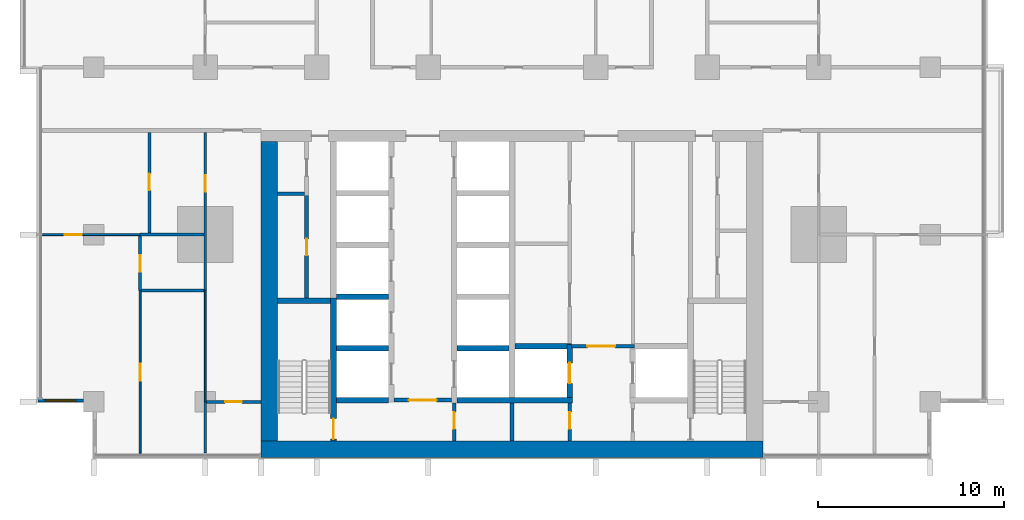
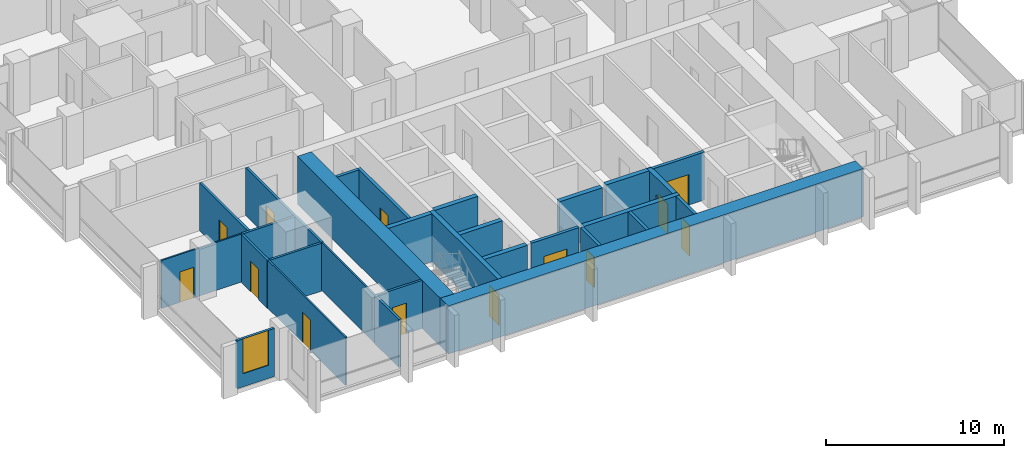
# One storey, part 7 of 18: 29 walls, 13 doors, 1 window, 14 openings.
"""IFC4 building model written with IfcOpenShell, lengths in metres."""

import ifcopenshell
import ifcopenshell.guid

model = None  # the IFC model being written
_history = None  # IfcOwnerHistory: only IFC2X3 demands one
_inside = {}  # id of a spatial element -> (the spatial element, [elements in it])
_under = {}  # id of a project, library or spatial element -> (it, [spatial elements below it])
_declared = {}  # id of a project -> (the project, [libraries it declares])
_typed = {}  # id of a type object -> (the type object, [elements of that type])
_made_of = {}  # id of a material, layer set ... -> (it, [elements and type objects made of it])


def new_model(schema):
    """Start an empty IFC model of exactly this schema.

    Asked for "IFC4X3", IfcOpenShell would pick the latest addendum, in which some entities
    have other attributes; the version numbers below select the first issue.
    IFC2X3 requires an IfcOwnerHistory on every rooted entity: one is made here for all.
    """
    global model, _history
    if schema == "IFC4X3":
        model = ifcopenshell.file(schema_version=(4, 3, 0, 0))
    else:
        model = ifcopenshell.file(schema=schema)
    _inside.clear()
    _under.clear()
    _declared.clear()
    _typed.clear()
    _made_of.clear()
    _history = None
    if model.schema == "IFC2X3":
        org = make("IfcOrganization", Name="unknown")
        user = make(
            "IfcPersonAndOrganization",
            ThePerson=make("IfcPerson", FamilyName="unknown"),
            TheOrganization=org,
        )
        app = make(
            "IfcApplication",
            ApplicationDeveloper=org,
            Version="unknown",
            ApplicationFullName="unknown",
            ApplicationIdentifier="unknown",
        )
        _history = make(
            "IfcOwnerHistory",
            OwningUser=user,
            OwningApplication=app,
            ChangeAction="ADDED",
            CreationDate=0,
        )
    return model


def make(cls, **values):
    """One entity of the class cls with the attributes given. An attribute that is None is left unset."""
    return model.create_entity(
        cls, **{name: value for name, value in values.items() if value is not None}
    )


def rooted(cls, **values):
    """An entity with a GlobalId (a new one), such as an element, a storey or a relation."""
    return make(cls, GlobalId=ifcopenshell.guid.new(), OwnerHistory=_history, **values)


def si_unit(unit_type, name, prefix=None):
    """IfcSIUnit, for example si_unit("LENGTHUNIT", "METRE", prefix="MILLI")."""
    return make("IfcSIUnit", UnitType=unit_type, Prefix=prefix, Name=name)


def assignment(units):
    """IfcUnitAssignment: the units of a project."""
    return None if units is None else make("IfcUnitAssignment", Units=units)


def point(xyz):
    """IfcCartesianPoint."""
    return None if xyz is None else make("IfcCartesianPoint", Coordinates=xyz)


def direction(xyz):
    """IfcDirection."""
    return None if xyz is None else make("IfcDirection", DirectionRatios=xyz)


def frame(location, z_axis=None, x_axis=None):
    """IfcAxis2Placement3D, a coordinate frame: its origin and axes. An axis left out is left unset."""
    return make(
        "IfcAxis2Placement3D",
        Location=point(location),
        Axis=direction(z_axis),
        RefDirection=direction(x_axis),
    )


def frame_2d(location, x_axis=None):
    """IfcAxis2Placement2D, a coordinate frame in the plane: its origin and x axis."""
    return make(
        "IfcAxis2Placement2D", Location=point(location), RefDirection=direction(x_axis)
    )


def origin():
    """The frame at (0, 0, 0) with its axes left unset."""
    return frame((0.0, 0.0, 0.0))


def place(relative_to, where):
    """IfcLocalPlacement: puts the frame where relative to a parent placement (None: the world)."""
    return make(
        "IfcLocalPlacement", PlacementRelTo=relative_to, RelativePlacement=where
    )


def context(
    kind, dimensions, precision=None, world=None, true_north=None, identifier=None
):
    """IfcGeometricRepresentationContext, for example the 3D "Model" context."""
    return make(
        "IfcGeometricRepresentationContext",
        ContextIdentifier=identifier,
        ContextType=kind,
        CoordinateSpaceDimension=dimensions,
        Precision=precision,
        WorldCoordinateSystem=world,
        TrueNorth=true_north,
    )


def subcontext(parent, identifier, kind, view, scale=None):
    """IfcGeometricRepresentationSubContext, for example "Body" below "Model"."""
    return make(
        "IfcGeometricRepresentationSubContext",
        ContextIdentifier=identifier,
        ContextType=kind,
        ParentContext=parent,
        TargetScale=scale,
        TargetView=view,
    )


def project(units=None, contexts=None):
    """IfcProject with its units and contexts."""
    return rooted(
        "IfcProject",
        Name="project",
        RepresentationContexts=contexts,
        UnitsInContext=assignment(units),
    )


def spatial(cls, under=None, at=None, **own):
    """A site, building, storey or space (cls), placed at a placement, below another one or the project."""
    s = rooted(cls, ObjectPlacement=at, **own)
    if under is not None:
        _under.setdefault(under.id(), (under, []))[1].append(s)
    return s


def profile(cls, at=None, kind="AREA", **sizes):
    """A parametric profile (cls). Its sizes go by their IFC names, for example OverallWidth=200.0."""
    return make(cls, ProfileType=kind, Position=at, **sizes)


def rectangle(**sizes):
    """IfcRectangleProfileDef."""
    return profile("IfcRectangleProfileDef", **sizes)


def extrude(swept, where, along, depth):
    """IfcExtrudedAreaSolid: the profile swept, set in the frame where, extruded along a direction by depth."""
    return make(
        "IfcExtrudedAreaSolid",
        SweptArea=swept,
        Position=where,
        ExtrudedDirection=direction(along),
        Depth=depth,
    )


def shape(context_of_items, identifier, shape_type, items):
    """IfcShapeRepresentation: the items that make up one representation, for example the "Body"."""
    return make(
        "IfcShapeRepresentation",
        ContextOfItems=context_of_items,
        RepresentationIdentifier=identifier,
        RepresentationType=shape_type,
        Items=items,
    )


def material(Name=None, Category=None):
    """IfcMaterial."""
    return make("IfcMaterial", Name=Name, Category=Category)


def layer(
    of_material, thickness, ventilated=None, Name=None, Category=None, Priority=None
):
    """IfcMaterialLayer: one layer of a wall or slab, of a material (None: an air gap)."""
    return make(
        "IfcMaterialLayer",
        Material=of_material,
        LayerThickness=thickness,
        IsVentilated=ventilated,
        Name=Name,
        Category=Category,
        Priority=Priority,
    )


def layer_set(layers, Name=None):
    """IfcMaterialLayerSet."""
    return make("IfcMaterialLayerSet", MaterialLayers=layers, LayerSetName=Name)


def made_of(thing, what):
    """Note that an element or type object is made of a material, layer set ...; save() writes the relation."""
    if what is not None:
        _made_of.setdefault(what.id(), (what, []))[1].append(thing)
    return thing


def type_object(cls, material=None, **own):
    """A type object (cls), such as IfcWallType, which elements share."""
    return made_of(rooted(cls, **own), material)


def element(
    cls,
    number,
    at=None,
    inside=None,
    cuts=None,
    type_object=None,
    material=None,
    context=None,
    identifier="Body",
    shape_type=None,
    held_by="IfcProductDefinitionShape",
    body=None,
    shapes=None,
    **own,
):
    """One element of the class cls, such as IfcWall. Its Tag is "e" and its number.

    at: its placement. inside: the storey or other place that contains it. cuts: it is an
    opening in that element (IfcRelVoidsElement). A single representation is given by context,
    identifier, shape_type and body (its items); several are given by shapes. held_by: the class
    of the entity that holds the representations. save() writes the other relations.
    """
    e = rooted(cls, Tag="e%d" % number, ObjectPlacement=at, **own)
    if body is not None:
        shapes = [shape(context, identifier, shape_type, body)]
    if shapes is not None:
        e.Representation = make(held_by, Representations=shapes)
    if inside is not None:
        _inside.setdefault(inside.id(), (inside, []))[1].append(e)
    if cuts is not None:
        rooted(
            "IfcRelVoidsElement", RelatingBuildingElement=cuts, RelatedOpeningElement=e
        )
    if type_object is not None:
        _typed.setdefault(type_object.id(), (type_object, []))[1].append(e)
    return made_of(e, material)


def fill(opening, filler):
    """IfcRelFillsElement: the door or window that sits in an opening."""
    return rooted(
        "IfcRelFillsElement",
        RelatingOpeningElement=opening,
        RelatedBuildingElement=filler,
    )


def aggregate(whole, parts):
    """IfcRelAggregates: a whole, such as a stair, and the parts it consists of."""
    return rooted("IfcRelAggregates", RelatingObject=whole, RelatedObjects=parts)


def save(model, path):
    """Write the relations noted so far, then the file.

    IfcRelAggregates (storeys below a building ...), IfcRelContainedInSpatialStructure (elements
    in a storey), IfcRelDefinesByType, IfcRelAssociatesMaterial and IfcRelDeclares: one each for
    every whole, place, type object, material and project.
    """
    for whole, parts in _under.values():
        aggregate(whole, parts)
    for where, things in _inside.values():
        rooted(
            "IfcRelContainedInSpatialStructure",
            RelatedElements=things,
            RelatingStructure=where,
        )
    for kind, things in _typed.values():
        rooted("IfcRelDefinesByType", RelatedObjects=things, RelatingType=kind)
    for what, things in _made_of.values():
        rooted("IfcRelAssociatesMaterial", RelatedObjects=things, RelatingMaterial=what)
    for by, libraries in _declared.values():
        rooted("IfcRelDeclares", RelatingContext=by, RelatedDefinitions=libraries)
    model.write(path)


model = new_model("IFC4")

# Units and contexts
model_context = context("Model", 3, precision=1e-05, world=origin(), true_north=direction((0.0, 1.0)))
body_context = subcontext(model_context, "Body", "Model", "MODEL_VIEW")
ifc_project = project(units=[si_unit("LENGTHUNIT", "METRE"), si_unit("AREAUNIT", "SQUARE_METRE"), si_unit("VOLUMEUNIT", "CUBIC_METRE"), si_unit("PLANEANGLEUNIT", "RADIAN"), si_unit("MASSUNIT", "GRAM", prefix="KILO")], contexts=[model_context])

# Site, building, storey
site_placement = place(None, origin())
site = spatial("IfcSite", under=ifc_project, at=site_placement, CompositionType="ELEMENT")
building_placement = place(site_placement, origin())
building = spatial("IfcBuilding", under=site, at=building_placement, Name="Finial Court Residences", CompositionType="ELEMENT")
storey_placement = place(building_placement, frame((0.0, 0.0, 50.5)))
storey = spatial("IfcBuildingStorey", under=building, at=storey_placement, Name="L11", CompositionType="ELEMENT", Elevation=50.5)

# Walls
ifc_material_1 = material(Name="Concrete C80/95", Category="concrete")
ifc_layer_1 = layer(ifc_material_1, 0.89990234375)
ifc_layer_set_1 = layer_set([ifc_layer_1], Name="Core outer wall 900 Concrete C80/95")
wall_type_1 = type_object("IfcWallType", Name="Core outer wall 900 Concrete C80/95", PredefinedType="SHEAR", material=ifc_layer_set_1)
wall_1_placement = place(storey_placement, frame((-13.050048828125, -24.60009765625, 0.0), z_axis=(0.0, 0.0, 1.0), x_axis=(0.0, 1.0, 0.0)))
element("IfcWall", 1, at=wall_1_placement, inside=storey, type_object=wall_type_1, Name="Core outer wall L11-03", PredefinedType="SHEAR", context=body_context, shape_type="SweptSolid", body=[
    extrude(rectangle(XDim=16.10009765625, YDim=0.89990234375, at=frame_2d((8.050048828125, 0.0))), origin(), (0.0, 0.0, 1.0), 3.300048828125),
])
ifc_layer_2 = layer(ifc_material_1, 0.89990234375)
ifc_layer_set_2 = layer_set([ifc_layer_2], Name="Core south facade wall 900 Concrete C80/95")
wall_type_2 = type_object("IfcWallType", Name="Core south facade wall 900 Concrete C80/95", PredefinedType="SHEAR", material=ifc_layer_set_2)
wall_2_placement = place(storey_placement, frame((-13.5, -25.050048828125, 0.0), z_axis=(0.0, 0.0, 1.0), x_axis=(1.0, 0.0, 0.0)))
element("IfcWall", 2, at=wall_2_placement, inside=storey, type_object=wall_type_2, Name="Core outer wall L11-01", PredefinedType="SHEAR", context=body_context, shape_type="SweptSolid", body=[
    extrude(rectangle(XDim=27.0, YDim=0.89990234375, at=frame_2d((13.5, 0.0))), origin(), (0.0, 0.0, 1.0), 3.300048828125),
])

# Wall, opening, door
ifc_material_2 = material(Name="Fire-rated gypsum board partition")
ifc_layer_3 = layer(ifc_material_2, 0.199951171875)
ifc_layer_set_3 = layer_set([ifc_layer_3], Name="Firefighting lobby wall 200 EI 120")
wall_type_3 = type_object("IfcWallType", Name="Firefighting lobby wall 200 EI 120", PredefinedType="PARTITIONING", material=ifc_layer_set_3)
wall_3_placement = place(storey_placement, frame((6.574951171875, -19.5, 0.0), z_axis=(0.0, 0.0, 1.0), x_axis=(-1.0, 0.0, 0.0)))
wall_3 = element("IfcWall", 3, at=wall_3_placement, inside=storey, type_object=wall_type_3, Name="Core partition L11-08", PredefinedType="PARTITIONING", context=body_context, shape_type="SweptSolid", body=[
    extrude(rectangle(XDim=3.375, YDim=0.199951171875, at=frame_2d((1.6875, 0.0))), origin(), (0.0, 0.0, 1.0), 3.300048828125),
])
opening_1_placement = place(wall_3_placement, frame((1.02490234375, 0.0, 0.0)))
opening_1 = element("IfcOpeningElement", 4, at=opening_1_placement, cuts=wall_3, Name="Opening L11-C02", PredefinedType="OPENING", context=body_context, shape_type="SweptSolid", body=[
    extrude(rectangle(XDim=1.5, YDim=2.10009765625, at=frame_2d((0.75, 1.050048828125))), frame((0.0, 0.10986328125, 0.0), z_axis=(0.0, -1.0, 0.0), x_axis=(1.0, 0.0, 0.0)), (0.0, 0.0, 1.0), 0.219970703125),
])
ifc_material_3 = material(Name="Steel fire door", Category="steel")
door_type_1 = type_object("IfcDoorType", Name="Firefighting lobby door 1500 x 2100 EI 90", OperationType="DOUBLE_DOOR_SINGLE_SWING", PredefinedType="DOOR", material=ifc_material_3)
door_1_placement = place(opening_1_placement, origin())
door_1 = element("IfcDoor", 5, at=door_1_placement, inside=storey, type_object=door_type_1, Name="Firefighting lobby door L11-C02", OperationType="DOUBLE_DOOR_SINGLE_SWING", OverallHeight=2.10009765625, OverallWidth=1.5, PredefinedType="DOOR", context=body_context, shape_type="SweptSolid", body=[
    extrude(rectangle(XDim=1.5, YDim=2.10009765625, at=frame_2d((0.75, 1.050048828125))), frame((0.0, 0.02490234375, 0.0), z_axis=(0.0, -1.0, 0.0), x_axis=(1.0, 0.0, 0.0)), (0.0, 0.0, 1.0), 0.050048828125),
])
fill(opening_1, door_1)

wall_4_placement = place(storey_placement, frame((3.10009765625, -24.60009765625, 0.0), z_axis=(0.0, 0.0, 1.0), x_axis=(0.0, 1.0, 0.0)))
wall_4 = element("IfcWall", 6, at=wall_4_placement, inside=storey, type_object=wall_type_3, Name="Core partition L11-30", PredefinedType="PARTITIONING", context=body_context, shape_type="SweptSolid", body=[
    extrude(rectangle(XDim=2.050048828125, YDim=0.199951171875, at=frame_2d((1.02490234375, 0.0))), origin(), (0.0, 0.0, 1.0), 3.300048828125),
])
opening_2_placement = place(wall_4_placement, frame((0.64990234375, 0.0, 0.0)))
opening_2 = element("IfcOpeningElement", 7, at=opening_2_placement, cuts=wall_4, Name="Opening L11-C06", PredefinedType="OPENING", context=body_context, shape_type="SweptSolid", body=[
    extrude(rectangle(XDim=0.89990234375, YDim=2.10009765625, at=frame_2d((0.449951171875, 1.050048828125))), frame((0.0, 0.10986328125, 0.0), z_axis=(0.0, -1.0, 0.0), x_axis=(1.0, 0.0, 0.0)), (0.0, 0.0, 1.0), 0.219970703125),
])
door_type_2 = type_object("IfcDoorType", Name="Riser room door 900 x 2100 EI 90", OperationType="NOTDEFINED", PredefinedType="DOOR", material=ifc_material_3)
door_2_placement = place(opening_2_placement, origin())
door_2 = element("IfcDoor", 8, at=door_2_placement, inside=storey, type_object=door_type_2, Name="Riser room door L11-C06", OperationType="SINGLE_SWING_LEFT", OverallHeight=2.10009765625, OverallWidth=0.89990234375, PredefinedType="DOOR", context=body_context, shape_type="SweptSolid", body=[
    extrude(rectangle(XDim=0.89990234375, YDim=2.10009765625, at=frame_2d((0.449951171875, 1.050048828125))), frame((0.0, 0.02490234375, 0.0), z_axis=(0.0, -1.0, 0.0), x_axis=(1.0, 0.0, 0.0)), (0.0, 0.0, 1.0), 0.050048828125),
])
fill(opening_2, door_2)

ifc_material_4 = material(Name="Gypsum board")
ifc_layer_4 = layer(ifc_material_4, 0.012451171875)
ifc_material_5 = material(Name="Mineral wool in light-gauge frame")
ifc_layer_5 = layer(ifc_material_5, 0.074951171875)
ifc_layer_6 = layer(ifc_material_4, 0.012451171875)
ifc_layer_set_4 = layer_set([ifc_layer_4, ifc_layer_5, ifc_layer_6], Name="Gypsum board partition 100")
wall_type_4 = type_object("IfcWallType", Name="Gypsum board partition 100", PredefinedType="PARTITIONING", material=ifc_layer_set_4)
wall_5_placement = place(storey_placement, frame((-25.25, -13.5, 0.0), z_axis=(0.0, 0.0, 1.0), x_axis=(1.0, 0.0, 0.0)))
wall_5 = element("IfcWall", 9, at=wall_5_placement, inside=storey, type_object=wall_type_4, Name="Partition L11-003", PredefinedType="PARTITIONING", context=body_context, shape_type="SweptSolid", body=[
    extrude(rectangle(XDim=5.25, YDim=0.10009765625, at=frame_2d((2.625, 0.0))), origin(), (0.0, 0.0, 1.0), 3.300048828125),
])
opening_3_placement = place(wall_5_placement, frame((1.199951171875, 0.0, 0.0)))
opening_3 = element("IfcOpeningElement", 10, at=opening_3_placement, cuts=wall_5, Name="Opening L11-D003", PredefinedType="OPENING", context=body_context, shape_type="SweptSolid", body=[
    extrude(rectangle(XDim=0.89990234375, YDim=2.10009765625, at=frame_2d((0.449951171875, 1.050048828125))), frame((0.0, 0.06005859375, 0.0), z_axis=(0.0, -1.0, 0.0), x_axis=(1.0, 0.0, 0.0)), (0.0, 0.0, 1.0), 0.1201171875),
])
ifc_material_6 = material(Name="Timber door leaf in timber frame", Category="wood")
door_type_3 = type_object("IfcDoorType", Name="Door set 900 x 2100", OperationType="SINGLE_SWING_LEFT", PredefinedType="DOOR", material=ifc_material_6)
door_3_placement = place(opening_3_placement, origin())
door_3 = element("IfcDoor", 11, at=door_3_placement, inside=storey, type_object=door_type_3, Name="Door L11-D003", OperationType="SINGLE_SWING_LEFT", OverallHeight=2.10009765625, OverallWidth=0.89990234375, PredefinedType="DOOR", context=body_context, shape_type="SweptSolid", body=[
    extrude(rectangle(XDim=0.89990234375, YDim=2.10009765625, at=frame_2d((0.449951171875, 1.050048828125))), frame((0.0, 0.02490234375, 0.0), z_axis=(0.0, -1.0, 0.0), x_axis=(1.0, 0.0, 0.0)), (0.0, 0.0, 1.0), 0.050048828125),
])
fill(opening_3, door_3)

wall_6_placement = place(storey_placement, frame((-20.0, -25.25, 0.0), z_axis=(0.0, 0.0, 1.0), x_axis=(0.0, 1.0, 0.0)))
wall_6 = element("IfcWall", 12, at=wall_6_placement, inside=storey, type_object=wall_type_4, Name="Partition L11-056", PredefinedType="PARTITIONING", context=body_context, shape_type="SweptSolid", body=[
    extrude(rectangle(XDim=8.75, YDim=0.10009765625, at=frame_2d((4.375, 0.0))), origin(), (0.0, 0.0, 1.0), 3.300048828125),
])
opening_4_placement = place(wall_6_placement, frame((3.89990234375, 0.0, 0.0)))
opening_4 = element("IfcOpeningElement", 13, at=opening_4_placement, cuts=wall_6, Name="Opening L11-D035", PredefinedType="OPENING", context=body_context, shape_type="SweptSolid", body=[
    extrude(rectangle(XDim=0.89990234375, YDim=2.10009765625, at=frame_2d((0.449951171875, 1.050048828125))), frame((0.0, 0.06005859375, 0.0), z_axis=(0.0, -1.0, 0.0), x_axis=(1.0, 0.0, 0.0)), (0.0, 0.0, 1.0), 0.1201171875),
])
door_4_placement = place(opening_4_placement, origin())
door_4 = element("IfcDoor", 14, at=door_4_placement, inside=storey, type_object=door_type_3, Name="Door L11-D035", OperationType="SINGLE_SWING_RIGHT", OverallHeight=2.10009765625, OverallWidth=0.89990234375, PredefinedType="DOOR", context=body_context, shape_type="SweptSolid", body=[
    extrude(rectangle(XDim=0.89990234375, YDim=2.10009765625, at=frame_2d((0.449951171875, 1.050048828125))), frame((0.0, 0.02490234375, 0.0), z_axis=(0.0, -1.0, 0.0), x_axis=(1.0, 0.0, 0.0)), (0.0, 0.0, 1.0), 0.050048828125),
])
fill(opening_4, door_4)

# Wall
wall_7_placement = place(storey_placement, frame((-16.5, -22.5, 0.0), z_axis=(0.0, 0.0, 1.0), x_axis=(0.0, 1.0, 0.0)))
element("IfcWall", 15, at=wall_7_placement, inside=storey, type_object=wall_type_4, Name="Partition L11-063", PredefinedType="PARTITIONING", context=body_context, shape_type="SweptSolid", body=[
    extrude(rectangle(XDim=6.0, YDim=0.10009765625, at=frame_2d((3.0, 0.0))), origin(), (0.0, 0.0, 1.0), 3.300048828125),
])

# Wall, opening, door
ifc_material_7 = material(Name="Moisture-resistant gypsum board")
ifc_layer_7 = layer(ifc_material_7, 0.012451171875)
ifc_layer_8 = layer(ifc_material_5, 0.125)
ifc_layer_9 = layer(ifc_material_7, 0.012451171875)
ifc_layer_set_5 = layer_set([ifc_layer_7, ifc_layer_8, ifc_layer_9], Name="Gypsum board wet-area partition 150")
wall_type_5 = type_object("IfcWallType", Name="Gypsum board wet-area partition 150", PredefinedType="PARTITIONING", material=ifc_layer_set_5)
wall_8_placement = place(storey_placement, frame((-16.425048828125, -22.5, 0.0), z_axis=(0.0, 0.0, 1.0), x_axis=(1.0, 0.0, 0.0)))
wall_8 = element("IfcWall", 16, at=wall_8_placement, inside=storey, type_object=wall_type_5, Name="Partition L11-000", PredefinedType="PARTITIONING", context=body_context, shape_type="SweptSolid", body=[
    extrude(rectangle(XDim=2.925048828125, YDim=0.14990234375, at=frame_2d((1.46240234375, 0.0))), origin(), (0.0, 0.0, 1.0), 3.300048828125),
])
opening_5_placement = place(wall_8_placement, frame((1.0, 0.0, 0.0)))
opening_5 = element("IfcOpeningElement", 17, at=opening_5_placement, cuts=wall_8, Name="Opening L11-D001", PredefinedType="OPENING", context=body_context, shape_type="SweptSolid", body=[
    extrude(rectangle(XDim=0.89990234375, YDim=2.10009765625, at=frame_2d((0.449951171875, 1.050048828125))), frame((0.0, 0.0849609375, 0.0), z_axis=(0.0, -1.0, 0.0), x_axis=(1.0, 0.0, 0.0)), (0.0, 0.0, 1.0), 0.169921875),
])
door_5_placement = place(opening_5_placement, origin())
door_5 = element("IfcDoor", 18, at=door_5_placement, inside=storey, type_object=door_type_3, Name="Door L11-D001", OperationType="SINGLE_SWING_LEFT", OverallHeight=2.10009765625, OverallWidth=0.89990234375, PredefinedType="DOOR", context=body_context, shape_type="SweptSolid", body=[
    extrude(rectangle(XDim=0.89990234375, YDim=2.10009765625, at=frame_2d((0.449951171875, 1.050048828125))), frame((0.0, 0.02490234375, 0.0), z_axis=(0.0, -1.0, 0.0), x_axis=(1.0, 0.0, 0.0)), (0.0, 0.0, 1.0), 0.050048828125),
])
fill(opening_5, door_5)

# Walls
wall_9_placement = place(storey_placement, frame((-19.925048828125, -16.5, 0.0), z_axis=(0.0, 0.0, 1.0), x_axis=(1.0, 0.0, 0.0)))
element("IfcWall", 19, at=wall_9_placement, inside=storey, type_object=wall_type_5, Name="Partition L11-002", PredefinedType="PARTITIONING", context=body_context, shape_type="SweptSolid", body=[
    extrude(rectangle(XDim=3.35009765625, YDim=0.14990234375, at=frame_2d((1.675048828125, 0.0))), origin(), (0.0, 0.0, 1.0), 3.300048828125),
])
wall_10_placement = place(storey_placement, frame((-20.0, -13.5, 0.0), z_axis=(0.0, 0.0, 1.0), x_axis=(1.0, 0.0, 0.0)))
element("IfcWall", 20, at=wall_10_placement, inside=storey, type_object=wall_type_5, Name="Partition L11-005", PredefinedType="PARTITIONING", context=body_context, shape_type="SweptSolid", body=[
    extrude(rectangle(XDim=3.425048828125, YDim=0.14990234375, at=frame_2d((1.71240234375, 0.0))), origin(), (0.0, 0.0, 1.0), 3.300048828125),
])

# Wall, opening, door
wall_11_placement = place(storey_placement, frame((-20.0, -16.5, 0.0), z_axis=(0.0, 0.0, 1.0), x_axis=(0.0, 1.0, 0.0)))
wall_11 = element("IfcWall", 21, at=wall_11_placement, inside=storey, type_object=wall_type_5, Name="Partition L11-057", PredefinedType="PARTITIONING", context=body_context, shape_type="SweptSolid", body=[
    extrude(rectangle(XDim=2.925048828125, YDim=0.14990234375, at=frame_2d((1.46240234375, 0.0))), origin(), (0.0, 0.0, 1.0), 3.300048828125),
])
opening_6_placement = place(wall_11_placement, frame((1.0, 0.0, 0.0)))
opening_6 = element("IfcOpeningElement", 22, at=opening_6_placement, cuts=wall_11, Name="Opening L11-D036", PredefinedType="OPENING", context=body_context, shape_type="SweptSolid", body=[
    extrude(rectangle(XDim=0.89990234375, YDim=2.10009765625, at=frame_2d((0.449951171875, 1.050048828125))), frame((0.0, 0.0849609375, 0.0), z_axis=(0.0, -1.0, 0.0), x_axis=(1.0, 0.0, 0.0)), (0.0, 0.0, 1.0), 0.169921875),
])
door_6_placement = place(opening_6_placement, origin())
door_6 = element("IfcDoor", 23, at=door_6_placement, inside=storey, type_object=door_type_3, Name="Door L11-D036", OperationType="SINGLE_SWING_RIGHT", OverallHeight=2.10009765625, OverallWidth=0.89990234375, PredefinedType="DOOR", context=body_context, shape_type="SweptSolid", body=[
    extrude(rectangle(XDim=0.89990234375, YDim=2.10009765625, at=frame_2d((0.449951171875, 1.050048828125))), frame((0.0, 0.02490234375, 0.0), z_axis=(0.0, -1.0, 0.0), x_axis=(1.0, 0.0, 0.0)), (0.0, 0.0, 1.0), 0.050048828125),
])
fill(opening_6, door_6)

wall_12_placement = place(storey_placement, frame((-19.5, -13.425048828125, 0.0), z_axis=(0.0, 0.0, 1.0), x_axis=(0.0, 1.0, 0.0)))
wall_12 = element("IfcWall", 24, at=wall_12_placement, inside=storey, type_object=wall_type_5, Name="Partition L11-060", PredefinedType="PARTITIONING", context=body_context, shape_type="SweptSolid", body=[
    extrude(rectangle(XDim=5.425048828125, YDim=0.14990234375, at=frame_2d((2.71240234375, 0.0))), origin(), (0.0, 0.0, 1.0), 3.300048828125),
])
opening_7_placement = place(wall_12_placement, frame((2.300048828125, 0.0, 0.0)))
opening_7 = element("IfcOpeningElement", 25, at=opening_7_placement, cuts=wall_12, Name="Opening L11-D039", PredefinedType="OPENING", context=body_context, shape_type="SweptSolid", body=[
    extrude(rectangle(XDim=0.89990234375, YDim=2.10009765625, at=frame_2d((0.449951171875, 1.050048828125))), frame((0.0, 0.0849609375, 0.0), z_axis=(0.0, -1.0, 0.0), x_axis=(1.0, 0.0, 0.0)), (0.0, 0.0, 1.0), 0.169921875),
])
door_7_placement = place(opening_7_placement, origin())
door_7 = element("IfcDoor", 26, at=door_7_placement, inside=storey, type_object=door_type_3, Name="Door L11-D039", OperationType="SINGLE_SWING_RIGHT", OverallHeight=2.10009765625, OverallWidth=0.89990234375, PredefinedType="DOOR", context=body_context, shape_type="SweptSolid", body=[
    extrude(rectangle(XDim=0.89990234375, YDim=2.10009765625, at=frame_2d((0.449951171875, 1.050048828125))), frame((0.0, 0.02490234375, 0.0), z_axis=(0.0, -1.0, 0.0), x_axis=(1.0, 0.0, 0.0)), (0.0, 0.0, 1.0), 0.050048828125),
])
fill(opening_7, door_7)

# Wall
wall_13_placement = place(storey_placement, frame((-16.5, -25.25, 0.0), z_axis=(0.0, 0.0, 1.0), x_axis=(0.0, 1.0, 0.0)))
element("IfcWall", 27, at=wall_13_placement, inside=storey, type_object=wall_type_5, Name="Partition L11-067", PredefinedType="PARTITIONING", context=body_context, shape_type="SweptSolid", body=[
    extrude(rectangle(XDim=2.75, YDim=0.14990234375, at=frame_2d((1.375, 0.0))), origin(), (0.0, 0.0, 1.0), 3.300048828125),
])

# Wall, opening, door
wall_14_placement = place(storey_placement, frame((-16.5, -16.5, 0.0), z_axis=(0.0, 0.0, 1.0), x_axis=(0.0, 1.0, 0.0)))
wall_14 = element("IfcWall", 28, at=wall_14_placement, inside=storey, type_object=wall_type_5, Name="Partition L11-068", PredefinedType="PARTITIONING", context=body_context, shape_type="SweptSolid", body=[
    extrude(rectangle(XDim=8.5, YDim=0.14990234375, at=frame_2d((4.25, 0.0))), origin(), (0.0, 0.0, 1.0), 3.300048828125),
])
opening_8_placement = place(wall_14_placement, frame((5.300048828125, 0.0, 0.0)))
opening_8 = element("IfcOpeningElement", 29, at=opening_8_placement, cuts=wall_14, Name="Opening L11-D044", PredefinedType="OPENING", context=body_context, shape_type="SweptSolid", body=[
    extrude(rectangle(XDim=0.89990234375, YDim=2.10009765625, at=frame_2d((0.449951171875, 1.050048828125))), frame((0.0, 0.0849609375, 0.0), z_axis=(0.0, -1.0, 0.0), x_axis=(1.0, 0.0, 0.0)), (0.0, 0.0, 1.0), 0.169921875),
])
door_8_placement = place(opening_8_placement, origin())
door_8 = element("IfcDoor", 30, at=door_8_placement, inside=storey, type_object=door_type_3, Name="Door L11-D044", OperationType="SINGLE_SWING_LEFT", OverallHeight=2.10009765625, OverallWidth=0.89990234375, PredefinedType="DOOR", context=body_context, shape_type="SweptSolid", body=[
    extrude(rectangle(XDim=0.89990234375, YDim=2.10009765625, at=frame_2d((0.449951171875, 1.050048828125))), frame((0.0, 0.02490234375, 0.0), z_axis=(0.0, -1.0, 0.0), x_axis=(1.0, 0.0, 0.0)), (0.0, 0.0, 1.0), 0.050048828125),
])
fill(opening_8, door_8)

# Walls
ifc_layer_10 = layer(ifc_material_1, 0.300048828125)
ifc_layer_set_6 = layer_set([ifc_layer_10], Name="Lift shaft and stair wall 300 Concrete C80/95")
wall_type_6 = type_object("IfcWallType", Name="Lift shaft and stair wall 300 Concrete C80/95", PredefinedType="SHEAR", material=ifc_layer_set_6)
wall_15_placement = place(storey_placement, frame((-9.449951171875, -22.39990234375, 0.0), z_axis=(0.0, 0.0, 1.0), x_axis=(1.0, 0.0, 0.0)))
element("IfcWall", 31, at=wall_15_placement, inside=storey, type_object=wall_type_6, Name="Core wall L11-01", PredefinedType="SHEAR", context=body_context, shape_type="SweptSolid", body=[
    extrude(rectangle(XDim=2.800048828125, YDim=0.300048828125, at=frame_2d((1.39990234375, 0.0))), origin(), (0.0, 0.0, 1.0), 3.300048828125),
])
wall_16_placement = place(storey_placement, frame((-2.949951171875, -22.39990234375, 0.0), z_axis=(0.0, 0.0, 1.0), x_axis=(1.0, 0.0, 0.0)))
element("IfcWall", 32, at=wall_16_placement, inside=storey, type_object=wall_type_6, Name="Core wall L11-03", PredefinedType="SHEAR", context=body_context, shape_type="SweptSolid", body=[
    extrude(rectangle(XDim=6.199951171875, YDim=0.300048828125, at=frame_2d((3.10009765625, 0.0))), origin(), (0.0, 0.0, 1.0), 3.300048828125),
])
for number, where, z_axis, x_axis, name in (
    (33, (-9.449951171875, -19.6201171875, 0.0), (0.0, 0.0, 1.0), (1.0, 0.0, 0.0), "Core wall L11-05"),
    (34, (-2.949951171875, -19.6201171875, 0.0), (0.0, 0.0, 1.0), (1.0, 0.0, 0.0), "Core wall L11-06"),
):
    element("IfcWall", number, at=place(storey_placement, frame(where, z_axis=z_axis, x_axis=x_axis)), inside=storey, type_object=wall_type_6, Name=name, PredefinedType="SHEAR", context=body_context, shape_type="SweptSolid", body=[
        extrude(rectangle(XDim=2.800048828125, YDim=0.300048828125, at=frame_2d((1.39990234375, 0.0))), origin(), (0.0, 0.0, 1.0), 3.300048828125),
    ])
wall_17_placement = place(storey_placement, frame((0.14990234375, -19.5, 0.0), z_axis=(0.0, 0.0, 1.0), x_axis=(1.0, 0.0, 0.0)))
element("IfcWall", 35, at=wall_17_placement, inside=storey, type_object=wall_type_6, Name="Core wall L11-07", PredefinedType="SHEAR", context=body_context, shape_type="SweptSolid", body=[
    extrude(rectangle(XDim=3.050048828125, YDim=0.300048828125, at=frame_2d((1.52490234375, 0.0))), origin(), (0.0, 0.0, 1.0), 3.300048828125),
])
wall_18_placement = place(storey_placement, frame((-12.60009765625, -17.050048828125, 0.0), z_axis=(0.0, 0.0, 1.0), x_axis=(1.0, 0.0, 0.0)))
element("IfcWall", 36, at=wall_18_placement, inside=storey, type_object=wall_type_6, Name="Core wall L11-10", PredefinedType="SHEAR", context=body_context, shape_type="SweptSolid", body=[
    extrude(rectangle(XDim=2.85009765625, YDim=0.300048828125, at=frame_2d((1.425048828125, 0.0))), origin(), (0.0, 0.0, 1.0), 3.300048828125),
])
wall_19_placement = place(storey_placement, frame((-9.449951171875, -16.840087890625, 0.0), z_axis=(0.0, 0.0, 1.0), x_axis=(1.0, 0.0, 0.0)))
element("IfcWall", 37, at=wall_19_placement, inside=storey, type_object=wall_type_6, Name="Core wall L11-12", PredefinedType="SHEAR", context=body_context, shape_type="SweptSolid", body=[
    extrude(rectangle(XDim=2.800048828125, YDim=0.300048828125, at=frame_2d((1.39990234375, 0.0))), origin(), (0.0, 0.0, 1.0), 3.300048828125),
])

# Wall, opening, door
wall_20_placement = place(storey_placement, frame((-9.60009765625, -24.60009765625, 0.0), z_axis=(0.0, 0.0, 1.0), x_axis=(0.0, 1.0, 0.0)))
wall_20 = element("IfcWall", 38, at=wall_20_placement, inside=storey, type_object=wall_type_6, Name="Core wall L11-23", PredefinedType="SHEAR", context=body_context, shape_type="SweptSolid", body=[
    extrude(rectangle(XDim=7.7001953125, YDim=0.300048828125, at=frame_2d((3.85009765625, 0.0))), origin(), (0.0, 0.0, 1.0), 3.300048828125),
])
opening_9_placement = place(wall_20_placement, frame((0.10009765625, 0.0, 0.0)))
opening_9 = element("IfcOpeningElement", 39, at=opening_9_placement, cuts=wall_20, Name="Opening L11-C17", PredefinedType="OPENING", context=body_context, shape_type="SweptSolid", body=[
    extrude(rectangle(XDim=1.10009765625, YDim=2.10009765625, at=frame_2d((0.550048828125, 1.050048828125))), frame((0.0, 0.159912109375, 0.0), z_axis=(0.0, -1.0, 0.0), x_axis=(1.0, 0.0, 0.0)), (0.0, 0.0, 1.0), 0.320068359375),
])
door_type_4 = type_object("IfcDoorType", Name="Stair door 1100 x 2100 EI 90", OperationType="NOTDEFINED", PredefinedType="DOOR", material=ifc_material_3)
door_9_placement = place(opening_9_placement, origin())
door_9 = element("IfcDoor", 40, at=door_9_placement, inside=storey, type_object=door_type_4, Name="Stair door L11-C17", OperationType="SINGLE_SWING_LEFT", OverallHeight=2.10009765625, OverallWidth=1.10009765625, PredefinedType="DOOR", context=body_context, shape_type="SweptSolid", body=[
    extrude(rectangle(XDim=1.10009765625, YDim=2.10009765625, at=frame_2d((0.550048828125, 1.050048828125))), frame((0.0, 0.02490234375, 0.0), z_axis=(0.0, -1.0, 0.0), x_axis=(1.0, 0.0, 0.0)), (0.0, 0.0, 1.0), 0.050048828125),
])
fill(opening_9, door_9)

wall_21_placement = place(storey_placement, frame((3.10009765625, -22.25, 0.0), z_axis=(0.0, 0.0, 1.0), x_axis=(0.0, 1.0, 0.0)))
wall_21 = element("IfcWall", 41, at=wall_21_placement, inside=storey, type_object=wall_type_6, Name="Core wall L11-31", PredefinedType="SHEAR", context=body_context, shape_type="SweptSolid", body=[
    extrude(rectangle(XDim=2.85009765625, YDim=0.300048828125, at=frame_2d((1.425048828125, 0.0))), origin(), (0.0, 0.0, 1.0), 3.300048828125),
])
opening_10_placement = place(wall_21_placement, frame((0.75, 0.0, 0.0)))
opening_10 = element("IfcOpeningElement", 42, at=opening_10_placement, cuts=wall_21, Name="Opening L11-LD01", PredefinedType="OPENING", context=body_context, shape_type="SweptSolid", body=[
    extrude(rectangle(XDim=1.10009765625, YDim=2.10009765625, at=frame_2d((0.550048828125, 1.050048828125))), frame((0.0, 0.159912109375, 0.0), z_axis=(0.0, -1.0, 0.0), x_axis=(1.0, 0.0, 0.0)), (0.0, 0.0, 1.0), 0.320068359375),
])
ifc_material_8 = material(Name="Stainless steel lift door", Category="steel")
door_type_5 = type_object("IfcDoorType", Name="Lift landing door 1100 x 2100 EI 90", OperationType="DOUBLE_DOOR_SLIDING", PredefinedType="DOOR", material=ifc_material_8)
door_10_placement = place(opening_10_placement, origin())
door_10 = element("IfcDoor", 43, at=door_10_placement, inside=storey, type_object=door_type_5, Name="Lift landing door FF1 L11", OperationType="DOUBLE_DOOR_SLIDING", OverallHeight=2.10009765625, OverallWidth=1.10009765625, PredefinedType="DOOR", context=body_context, shape_type="SweptSolid", body=[
    extrude(rectangle(XDim=1.10009765625, YDim=2.10009765625, at=frame_2d((0.550048828125, 1.050048828125))), frame((0.0, 0.02490234375, 0.0), z_axis=(0.0, -1.0, 0.0), x_axis=(1.0, 0.0, 0.0)), (0.0, 0.0, 1.0), 0.050048828125),
])
fill(opening_10, door_10)

# Wall, opening, window
ifc_material_9 = material(Name="Natural limestone", Category="masonry")
ifc_layer_11 = layer(ifc_material_9, 0.14990234375)
ifc_layer_set_7 = layer_set([ifc_layer_11], Name="Limestone clad wall 150")
wall_type_7 = type_object("IfcWallType", Name="Limestone clad wall 150", PredefinedType="SOLIDWALL", material=ifc_layer_set_7)
wall_22_placement = place(storey_placement, frame((-23.050048828125, -22.425048828125, 0.0), z_axis=(0.0, 0.0, 1.0), x_axis=(-1.0, 0.0, 0.0)))
wall_22 = element("IfcWall", 44, at=wall_22_placement, inside=storey, type_object=wall_type_7, Name="E-L11-NWS13", PredefinedType="SOLIDWALL", context=body_context, shape_type="SweptSolid", body=[
    extrude(rectangle(XDim=2.449951171875, YDim=0.14990234375, at=frame_2d((1.22509765625, 0.0))), origin(), (0.0, 0.0, 1.0), 3.300048828125),
])
opening_11_placement = place(wall_22_placement, frame((0.39990234375, 0.0, 0.89990234375)))
opening_11 = element("IfcOpeningElement", 45, at=opening_11_placement, cuts=wall_22, Name="Opening WE11-02", PredefinedType="OPENING", context=body_context, shape_type="SweptSolid", body=[
    extrude(rectangle(XDim=1.64990234375, YDim=2.39990234375, at=frame_2d((0.824951171875, 1.199951171875))), frame((0.0, 0.0849609375, 0.0), z_axis=(0.0, -1.0, 0.0), x_axis=(1.0, 0.0, 0.0)), (0.0, 0.0, 1.0), 0.169921875),
])
ifc_material_10 = material(Name="Clear low-e glass", Category="glass")
window_type = type_object("IfcWindowType", Name="Corner window 1650 x 2400", PartitioningType="SINGLE_PANEL", PredefinedType="WINDOW", material=ifc_material_10)
window_placement = place(opening_11_placement, origin())
window = element("IfcWindow", 46, at=window_placement, inside=storey, type_object=window_type, Name="E-L11-NWS13-W1", OverallHeight=2.39990234375, OverallWidth=1.64990234375, PartitioningType="SINGLE_PANEL", PredefinedType="WINDOW", context=body_context, shape_type="SweptSolid", body=[
    extrude(rectangle(XDim=1.64990234375, YDim=2.39990234375, at=frame_2d((0.824951171875, 1.199951171875))), frame((0.0, 0.030029296875, 0.0), z_axis=(0.0, -1.0, 0.0), x_axis=(1.0, 0.0, 0.0)), (0.0, 0.0, 1.0), 0.06005859375),
])
fill(opening_11, window)

# Walls
ifc_layer_12 = layer(ifc_material_2, 0.199951171875)
ifc_layer_set_8 = layer_set([ifc_layer_12], Name="Riser room wall 200 EI 120")
wall_type_8 = type_object("IfcWallType", Name="Riser room wall 200 EI 120", PredefinedType="PARTITIONING", material=ifc_layer_set_8)
wall_23_placement = place(storey_placement, frame((-12.60009765625, -11.300048828125, 0.0), z_axis=(0.0, 0.0, 1.0), x_axis=(1.0, 0.0, 0.0)))
element("IfcWall", 47, at=wall_23_placement, inside=storey, type_object=wall_type_8, Name="Core partition L11-18", PredefinedType="PARTITIONING", context=body_context, shape_type="SweptSolid", body=[
    extrude(rectangle(XDim=1.4501953125, YDim=0.199951171875, at=frame_2d((0.72509765625, 0.0))), origin(), (0.0, 0.0, 1.0), 3.300048828125),
])
wall_24_placement = place(storey_placement, frame((0.0, -24.60009765625, 0.0), z_axis=(0.0, 0.0, 1.0), x_axis=(0.0, 1.0, 0.0)))
element("IfcWall", 48, at=wall_24_placement, inside=storey, type_object=wall_type_8, Name="Core partition L11-28", PredefinedType="PARTITIONING", context=body_context, shape_type="SweptSolid", body=[
    extrude(rectangle(XDim=2.050048828125, YDim=0.199951171875, at=frame_2d((1.02490234375, 0.0))), origin(), (0.0, 0.0, 1.0), 3.300048828125),
])

# Wall, opening, door
ifc_layer_13 = layer(ifc_material_2, 0.199951171875)
ifc_layer_set_9 = layer_set([ifc_layer_13], Name="Stair passage wall 200 EI 180")
wall_type_9 = type_object("IfcWallType", Name="Stair passage wall 200 EI 180", PredefinedType="PARTITIONING", material=ifc_layer_set_9)
wall_25_placement = place(storey_placement, frame((-3.25, -22.39990234375, 0.0), z_axis=(0.0, 0.0, 1.0), x_axis=(-1.0, 0.0, 0.0)))
wall_25 = element("IfcWall", 49, at=wall_25_placement, inside=storey, type_object=wall_type_9, Name="Core partition L11-02", PredefinedType="PARTITIONING", context=body_context, shape_type="SweptSolid", body=[
    extrude(rectangle(XDim=3.10009765625, YDim=0.199951171875, at=frame_2d((1.550048828125, 0.0))), origin(), (0.0, 0.0, 1.0), 3.300048828125),
])
opening_12_placement = place(wall_25_placement, frame((0.800048828125, 0.0, 0.0)))
opening_12 = element("IfcOpeningElement", 50, at=opening_12_placement, cuts=wall_25, Name="Opening L11-C03", PredefinedType="OPENING", context=body_context, shape_type="SweptSolid", body=[
    extrude(rectangle(XDim=1.5, YDim=2.10009765625, at=frame_2d((0.75, 1.050048828125))), frame((0.0, 0.10986328125, 0.0), z_axis=(0.0, -1.0, 0.0), x_axis=(1.0, 0.0, 0.0)), (0.0, 0.0, 1.0), 0.219970703125),
])
door_type_6 = type_object("IfcDoorType", Name="Lift lobby door 1500 x 2100 EI 60", OperationType="DOUBLE_DOOR_SINGLE_SWING", PredefinedType="DOOR", material=ifc_material_3)
door_11_placement = place(opening_12_placement, origin())
door_11 = element("IfcDoor", 51, at=door_11_placement, inside=storey, type_object=door_type_6, Name="Lift lobby door L11-C03", OperationType="DOUBLE_DOOR_SINGLE_SWING", OverallHeight=2.10009765625, OverallWidth=1.5, PredefinedType="DOOR", context=body_context, shape_type="SweptSolid", body=[
    extrude(rectangle(XDim=1.5, YDim=2.10009765625, at=frame_2d((0.75, 1.050048828125))), frame((0.0, 0.02490234375, 0.0), z_axis=(0.0, -1.0, 0.0), x_axis=(1.0, 0.0, 0.0)), (0.0, 0.0, 1.0), 0.050048828125),
])
fill(opening_12, door_11)

wall_26_placement = place(storey_placement, frame((-11.050048828125, -16.89990234375, 0.0), z_axis=(0.0, 0.0, 1.0), x_axis=(0.0, 1.0, 0.0)))
wall_26 = element("IfcWall", 52, at=wall_26_placement, inside=storey, type_object=wall_type_9, Name="Core partition L11-21", PredefinedType="PARTITIONING", context=body_context, shape_type="SweptSolid", body=[
    extrude(rectangle(XDim=5.699951171875, YDim=0.199951171875, at=frame_2d((2.85009765625, 0.0))), origin(), (0.0, 0.0, 1.0), 3.300048828125),
])
opening_13_placement = place(wall_26_placement, frame((2.27490234375, 0.0, 0.0)))
opening_13 = element("IfcOpeningElement", 53, at=opening_13_placement, cuts=wall_26, Name="Opening L11-C14", PredefinedType="OPENING", context=body_context, shape_type="SweptSolid", body=[
    extrude(rectangle(XDim=0.89990234375, YDim=2.10009765625, at=frame_2d((0.449951171875, 1.050048828125))), frame((0.0, 0.10986328125, 0.0), z_axis=(0.0, -1.0, 0.0), x_axis=(1.0, 0.0, 0.0)), (0.0, 0.0, 1.0), 0.219970703125),
])
door_type_7 = type_object("IfcDoorType", Name="Core room door 900 x 2100 EI 60", OperationType="NOTDEFINED", PredefinedType="DOOR", material=ifc_material_3)
door_12_placement = place(opening_13_placement, origin())
door_12 = element("IfcDoor", 54, at=door_12_placement, inside=storey, type_object=door_type_7, Name="Core room door L11-C14", OperationType="SINGLE_SWING_LEFT", OverallHeight=2.10009765625, OverallWidth=0.89990234375, PredefinedType="DOOR", context=body_context, shape_type="SweptSolid", body=[
    extrude(rectangle(XDim=0.89990234375, YDim=2.10009765625, at=frame_2d((0.449951171875, 1.050048828125))), frame((0.0, 0.02490234375, 0.0), z_axis=(0.0, -1.0, 0.0), x_axis=(1.0, 0.0, 0.0)), (0.0, 0.0, 1.0), 0.050048828125),
])
fill(opening_13, door_12)

wall_27_placement = place(storey_placement, frame((-3.10009765625, -22.550048828125, 0.0), z_axis=(0.0, 0.0, 1.0), x_axis=(0.0, -1.0, 0.0)))
wall_27 = element("IfcWall", 55, at=wall_27_placement, inside=storey, type_object=wall_type_9, Name="Core partition L11-26", PredefinedType="PARTITIONING", context=body_context, shape_type="SweptSolid", body=[
    extrude(rectangle(XDim=2.050048828125, YDim=0.199951171875, at=frame_2d((1.02490234375, 0.0))), origin(), (0.0, 0.0, 1.0), 3.300048828125),
])
opening_14_placement = place(wall_27_placement, frame((0.5, 0.0, 0.0)))
opening_14 = element("IfcOpeningElement", 56, at=opening_14_placement, cuts=wall_27, Name="Opening L11-C13", PredefinedType="OPENING", context=body_context, shape_type="SweptSolid", body=[
    extrude(rectangle(XDim=0.89990234375, YDim=2.10009765625, at=frame_2d((0.449951171875, 1.050048828125))), frame((0.0, 0.10986328125, 0.0), z_axis=(0.0, -1.0, 0.0), x_axis=(1.0, 0.0, 0.0)), (0.0, 0.0, 1.0), 0.219970703125),
])
door_13_placement = place(opening_14_placement, origin())
door_13 = element("IfcDoor", 57, at=door_13_placement, inside=storey, type_object=door_type_7, Name="Core room door L11-C13", OperationType="SINGLE_SWING_RIGHT", OverallHeight=2.10009765625, OverallWidth=0.89990234375, PredefinedType="DOOR", context=body_context, shape_type="SweptSolid", body=[
    extrude(rectangle(XDim=0.89990234375, YDim=2.10009765625, at=frame_2d((0.449951171875, 1.050048828125))), frame((0.0, 0.02490234375, 0.0), z_axis=(0.0, -1.0, 0.0), x_axis=(1.0, 0.0, 0.0)), (0.0, 0.0, 1.0), 0.050048828125),
])
fill(opening_14, door_13)

save(model, "model.ifc")
